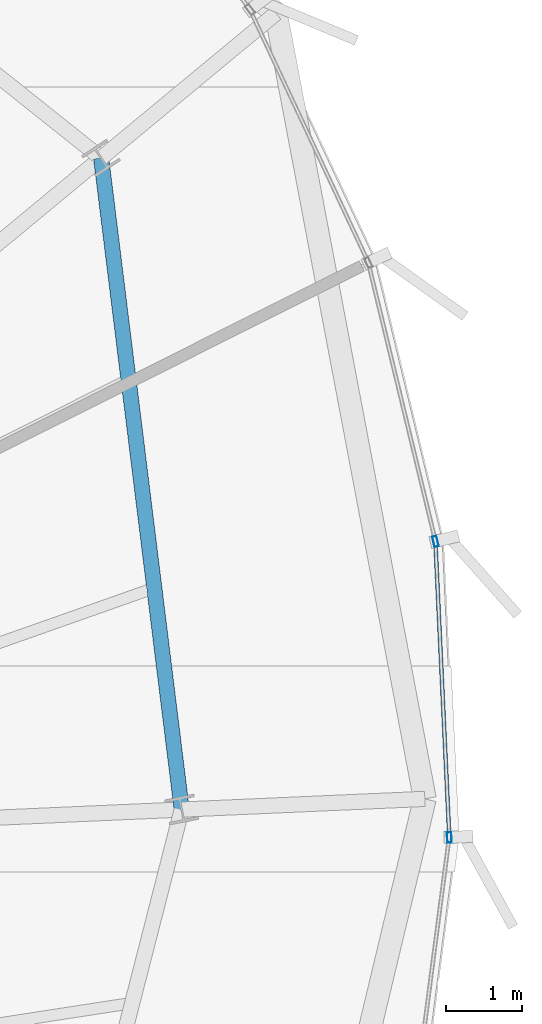
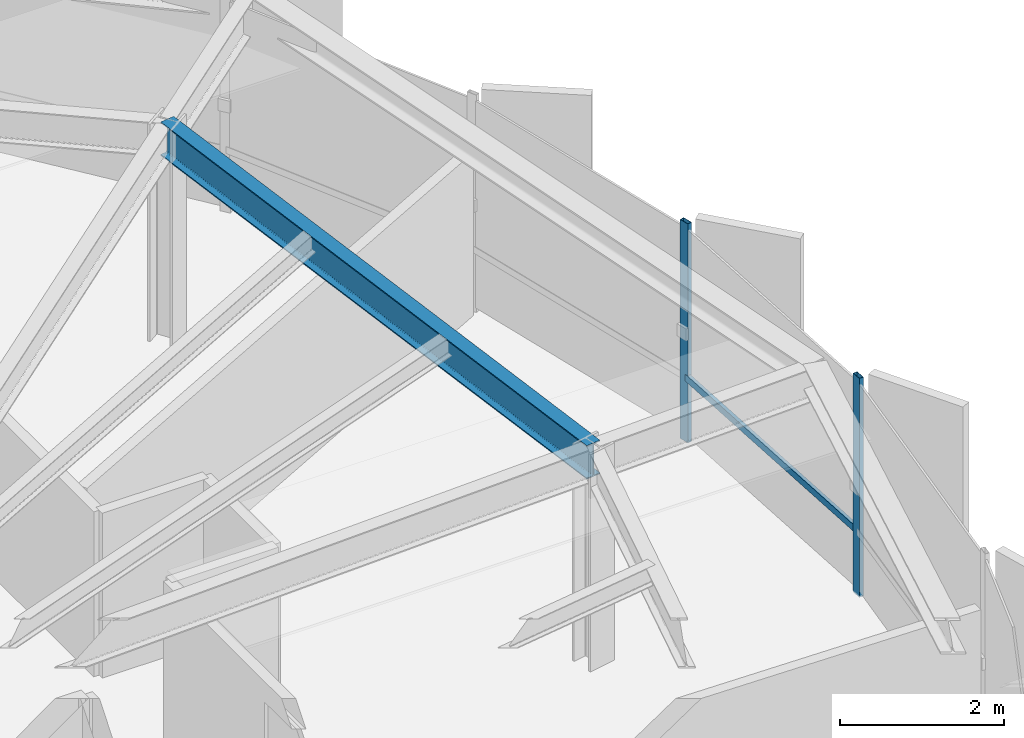
# One storey, part 17 of 34: 3 members, 1 beam, 1 element without a shape of its own.
"""IFC4 building model written with IfcOpenShell, lengths in metres."""

import ifcopenshell
import ifcopenshell.guid

model = None  # the IFC model being written
_history = None  # IfcOwnerHistory: only IFC2X3 demands one
_inside = {}  # id of a spatial element -> (the spatial element, [elements in it])
_under = {}  # id of a project, library or spatial element -> (it, [spatial elements below it])
_declared = {}  # id of a project -> (the project, [libraries it declares])
_typed = {}  # id of a type object -> (the type object, [elements of that type])
_made_of = {}  # id of a material, layer set ... -> (it, [elements and type objects made of it])


def new_model(schema):
    """Start an empty IFC model of exactly this schema.

    Asked for "IFC4X3", IfcOpenShell would pick the latest addendum, in which some entities
    have other attributes; the version numbers below select the first issue.
    IFC2X3 requires an IfcOwnerHistory on every rooted entity: one is made here for all.
    """
    global model, _history
    if schema == "IFC4X3":
        model = ifcopenshell.file(schema_version=(4, 3, 0, 0))
    else:
        model = ifcopenshell.file(schema=schema)
    _inside.clear()
    _under.clear()
    _declared.clear()
    _typed.clear()
    _made_of.clear()
    _history = None
    if model.schema == "IFC2X3":
        org = make("IfcOrganization", Name="unknown")
        user = make(
            "IfcPersonAndOrganization",
            ThePerson=make("IfcPerson", FamilyName="unknown"),
            TheOrganization=org,
        )
        app = make(
            "IfcApplication",
            ApplicationDeveloper=org,
            Version="unknown",
            ApplicationFullName="unknown",
            ApplicationIdentifier="unknown",
        )
        _history = make(
            "IfcOwnerHistory",
            OwningUser=user,
            OwningApplication=app,
            ChangeAction="ADDED",
            CreationDate=0,
        )
    return model


def make(cls, **values):
    """One entity of the class cls with the attributes given. An attribute that is None is left unset."""
    return model.create_entity(
        cls, **{name: value for name, value in values.items() if value is not None}
    )


def rooted(cls, **values):
    """An entity with a GlobalId (a new one), such as an element, a storey or a relation."""
    return make(cls, GlobalId=ifcopenshell.guid.new(), OwnerHistory=_history, **values)


def si_unit(unit_type, name, prefix=None):
    """IfcSIUnit, for example si_unit("LENGTHUNIT", "METRE", prefix="MILLI")."""
    return make("IfcSIUnit", UnitType=unit_type, Prefix=prefix, Name=name)


def assignment(units):
    """IfcUnitAssignment: the units of a project."""
    return None if units is None else make("IfcUnitAssignment", Units=units)


def point(xyz):
    """IfcCartesianPoint."""
    return None if xyz is None else make("IfcCartesianPoint", Coordinates=xyz)


def direction(xyz):
    """IfcDirection."""
    return None if xyz is None else make("IfcDirection", DirectionRatios=xyz)


def frame(location, z_axis=None, x_axis=None):
    """IfcAxis2Placement3D, a coordinate frame: its origin and axes. An axis left out is left unset."""
    return make(
        "IfcAxis2Placement3D",
        Location=point(location),
        Axis=direction(z_axis),
        RefDirection=direction(x_axis),
    )


def frame_2d(location, x_axis=None):
    """IfcAxis2Placement2D, a coordinate frame in the plane: its origin and x axis."""
    return make(
        "IfcAxis2Placement2D", Location=point(location), RefDirection=direction(x_axis)
    )


def origin():
    """The frame at (0, 0, 0) with its axes left unset."""
    return frame((0.0, 0.0, 0.0))


def origin_2d():
    """The frame at (0, 0) in the plane with its x axis left unset."""
    return frame_2d((0.0, 0.0))


def place(relative_to, where):
    """IfcLocalPlacement: puts the frame where relative to a parent placement (None: the world)."""
    return make(
        "IfcLocalPlacement", PlacementRelTo=relative_to, RelativePlacement=where
    )


def context(
    kind, dimensions, precision=None, world=None, true_north=None, identifier=None
):
    """IfcGeometricRepresentationContext, for example the 3D "Model" context."""
    return make(
        "IfcGeometricRepresentationContext",
        ContextIdentifier=identifier,
        ContextType=kind,
        CoordinateSpaceDimension=dimensions,
        Precision=precision,
        WorldCoordinateSystem=world,
        TrueNorth=true_north,
    )


def subcontext(parent, identifier, kind, view, scale=None):
    """IfcGeometricRepresentationSubContext, for example "Body" below "Model"."""
    return make(
        "IfcGeometricRepresentationSubContext",
        ContextIdentifier=identifier,
        ContextType=kind,
        ParentContext=parent,
        TargetScale=scale,
        TargetView=view,
    )


def project(units=None, contexts=None):
    """IfcProject with its units and contexts."""
    return rooted(
        "IfcProject",
        Name="project",
        RepresentationContexts=contexts,
        UnitsInContext=assignment(units),
    )


def spatial(cls, under=None, at=None, **own):
    """A site, building, storey or space (cls), placed at a placement, below another one or the project."""
    s = rooted(cls, ObjectPlacement=at, **own)
    if under is not None:
        _under.setdefault(under.id(), (under, []))[1].append(s)
    return s


def profile(cls, at=None, kind="AREA", **sizes):
    """A parametric profile (cls). Its sizes go by their IFC names, for example OverallWidth=200.0."""
    return make(cls, ProfileType=kind, Position=at, **sizes)


def hollow_rectangle(**sizes):
    """IfcRectangleHollowProfileDef."""
    return profile("IfcRectangleHollowProfileDef", **sizes)


def i_section(**sizes):
    """IfcIShapeProfileDef."""
    return profile("IfcIShapeProfileDef", **sizes)


def extrude(swept, where, along, depth):
    """IfcExtrudedAreaSolid: the profile swept, set in the frame where, extruded along a direction by depth."""
    return make(
        "IfcExtrudedAreaSolid",
        SweptArea=swept,
        Position=where,
        ExtrudedDirection=direction(along),
        Depth=depth,
    )


def shape(context_of_items, identifier, shape_type, items):
    """IfcShapeRepresentation: the items that make up one representation, for example the "Body"."""
    return make(
        "IfcShapeRepresentation",
        ContextOfItems=context_of_items,
        RepresentationIdentifier=identifier,
        RepresentationType=shape_type,
        Items=items,
    )


def source(mapping_origin, context_of_items, identifier, shape_type, items):
    """IfcRepresentationMap: a shape defined once, which mapped items show again and again."""
    return make(
        "IfcRepresentationMap",
        MappingOrigin=mapping_origin,
        MappedRepresentation=shape(context_of_items, identifier, shape_type, items),
    )


def transform(
    local_origin,
    x_axis=None,
    y_axis=None,
    z_axis=None,
    scale=None,
    scale2=None,
    scale3=None,
    uniform=True,
):
    """IfcCartesianTransformationOperator3D, or its non-uniform kind. x_axis, y_axis, z_axis: its Axis1, 2, 3."""
    if uniform:
        return make(
            "IfcCartesianTransformationOperator3D",
            Axis1=direction(x_axis),
            Axis2=direction(y_axis),
            LocalOrigin=point(local_origin),
            Scale=scale,
            Axis3=direction(z_axis),
        )
    return make(
        "IfcCartesianTransformationOperator3DnonUniform",
        Axis1=direction(x_axis),
        Axis2=direction(y_axis),
        LocalOrigin=point(local_origin),
        Scale=scale,
        Axis3=direction(z_axis),
        Scale2=scale2,
        Scale3=scale3,
    )


def mapped(mapping_source, mapping_target):
    """IfcMappedItem: shows the shape of a source again, moved by a transform."""
    return make(
        "IfcMappedItem", MappingSource=mapping_source, MappingTarget=mapping_target
    )


def material(Name=None, Category=None):
    """IfcMaterial."""
    return make("IfcMaterial", Name=Name, Category=Category)


def layer(
    of_material, thickness, ventilated=None, Name=None, Category=None, Priority=None
):
    """IfcMaterialLayer: one layer of a wall or slab, of a material (None: an air gap)."""
    return make(
        "IfcMaterialLayer",
        Material=of_material,
        LayerThickness=thickness,
        IsVentilated=ventilated,
        Name=Name,
        Category=Category,
        Priority=Priority,
    )


def layer_set(layers, Name=None):
    """IfcMaterialLayerSet."""
    return make("IfcMaterialLayerSet", MaterialLayers=layers, LayerSetName=Name)


def material_profile(
    of_material, cross_section, Name=None, Category=None, Priority=None
):
    """IfcMaterialProfile: a cross section and its material."""
    return make(
        "IfcMaterialProfile",
        Name=Name,
        Material=of_material,
        Profile=cross_section,
        Priority=Priority,
        Category=Category,
    )


def profile_set(profiles, Name=None, composite=None):
    """IfcMaterialProfileSet."""
    return make(
        "IfcMaterialProfileSet",
        Name=Name,
        MaterialProfiles=profiles,
        CompositeProfile=composite,
    )


def made_of(thing, what):
    """Note that an element or type object is made of a material, layer set ...; save() writes the relation."""
    if what is not None:
        _made_of.setdefault(what.id(), (what, []))[1].append(thing)
    return thing


def type_object(cls, material=None, **own):
    """A type object (cls), such as IfcWallType, which elements share."""
    return made_of(rooted(cls, **own), material)


def element(
    cls,
    number,
    at=None,
    inside=None,
    cuts=None,
    type_object=None,
    material=None,
    context=None,
    identifier="Body",
    shape_type=None,
    held_by="IfcProductDefinitionShape",
    body=None,
    shapes=None,
    **own,
):
    """One element of the class cls, such as IfcWall. Its Tag is "e" and its number.

    at: its placement. inside: the storey or other place that contains it. cuts: it is an
    opening in that element (IfcRelVoidsElement). A single representation is given by context,
    identifier, shape_type and body (its items); several are given by shapes. held_by: the class
    of the entity that holds the representations. save() writes the other relations.
    """
    e = rooted(cls, Tag="e%d" % number, ObjectPlacement=at, **own)
    if body is not None:
        shapes = [shape(context, identifier, shape_type, body)]
    if shapes is not None:
        e.Representation = make(held_by, Representations=shapes)
    if inside is not None:
        _inside.setdefault(inside.id(), (inside, []))[1].append(e)
    if cuts is not None:
        rooted(
            "IfcRelVoidsElement", RelatingBuildingElement=cuts, RelatedOpeningElement=e
        )
    if type_object is not None:
        _typed.setdefault(type_object.id(), (type_object, []))[1].append(e)
    return made_of(e, material)


def aggregate(whole, parts):
    """IfcRelAggregates: a whole, such as a stair, and the parts it consists of."""
    return rooted("IfcRelAggregates", RelatingObject=whole, RelatedObjects=parts)


def save(model, path):
    """Write the relations noted so far, then the file.

    IfcRelAggregates (storeys below a building ...), IfcRelContainedInSpatialStructure (elements
    in a storey), IfcRelDefinesByType, IfcRelAssociatesMaterial and IfcRelDeclares: one each for
    every whole, place, type object, material and project.
    """
    for whole, parts in _under.values():
        aggregate(whole, parts)
    for where, things in _inside.values():
        rooted(
            "IfcRelContainedInSpatialStructure",
            RelatedElements=things,
            RelatingStructure=where,
        )
    for kind, things in _typed.values():
        rooted("IfcRelDefinesByType", RelatedObjects=things, RelatingType=kind)
    for what, things in _made_of.values():
        rooted("IfcRelAssociatesMaterial", RelatedObjects=things, RelatingMaterial=what)
    for by, libraries in _declared.values():
        rooted("IfcRelDeclares", RelatingContext=by, RelatedDefinitions=libraries)
    model.write(path)


model = new_model("IFC4")

# Units and contexts
model_context = context("Model", 3, precision=1e-05, world=origin(), true_north=direction((0.0, 1.0)))
body_context = subcontext(model_context, "Body", "Model", "MODEL_VIEW")
ifc_project = project(units=[si_unit("LENGTHUNIT", "METRE"), si_unit("AREAUNIT", "SQUARE_METRE"), si_unit("VOLUMEUNIT", "CUBIC_METRE"), si_unit("PLANEANGLEUNIT", "RADIAN"), si_unit("MASSUNIT", "GRAM", prefix="KILO"), si_unit("THERMODYNAMICTEMPERATUREUNIT", "KELVIN")], contexts=[model_context])

# Site, building, storey
site_placement = place(None, origin())
site = spatial("IfcSite", under=ifc_project, at=site_placement, CompositionType="ELEMENT")
building_placement = place(site_placement, origin())
building = spatial("IfcBuilding", under=site, at=building_placement, Name="Kethvar Cultural Tower", CompositionType="ELEMENT")
storey_placement = place(building_placement, frame((0.0, 0.0, 207.89990234375)))
storey = spatial("IfcBuildingStorey", under=building, at=storey_placement, Name="L54", CompositionType="ELEMENT", Elevation=207.89990234375)

# Beam
ifc_material_1 = material(Name="Steel S355J2", Category="steel")
ifc_material_profile_1 = material_profile(ifc_material_1, i_section(OverallWidth=0.199951171875, OverallDepth=0.5, WebThickness=0.01025390625, FlangeThickness=0.01611328125, FilletRadius=0.02099609375, at=origin_2d()), Name="Steel S355J2 — IPE500")
ifc_profile_set_1 = profile_set([ifc_material_profile_1], Name="Steel S355J2 — IPE500")
beam_type = type_object("IfcBeamType", Name="BM-IPE500", PredefinedType="BEAM", material=ifc_profile_set_1)
shared_shape_1 = source(origin(), body_context, "Body", "SweptSolid", [
    extrude(i_section(OverallWidth=0.199951171875, OverallDepth=0.5, WebThickness=0.01025390625, FlangeThickness=0.01611328125, FilletRadius=0.02099609375, at=origin_2d()), origin(), (0.0, 0.0, 1.0), 8.6318359375),
])
beam_placement = place(storey_placement, frame((66.56396484375, 31.731201171875, 3.008056640625), z_axis=(-0.122781430908, 0.992433735936, 0.0), x_axis=(-0.992433735936, -0.122781430908, 0.0)))
element("IfcBeam", 1, at=beam_placement, inside=storey, type_object=beam_type, Name="L54 Column Ring Tie Beam CR-01", PredefinedType="BEAM", context=body_context, shape_type="MappedRepresentation", body=[
    mapped(shared_shape_1, transform((0.0, 0.0, 0.0), scale=1.0)),
])

# Curtain wall, members
ifc_material_2 = material(Name="Aluminium 6063-T6", Category="aluminium")
ifc_layer = layer(ifc_material_2, 0.179931640625, Name="Aluminium 6063-T6", Category="aluminium")
ifc_layer_set = layer_set([ifc_layer], Name="Aluminium 6063-T6 (180 mm)")
curtain_wall_type = type_object("IfcCurtainWallType", Name="CW-SYS-04-Z34", PredefinedType="NOTDEFINED", material=ifc_layer_set)
curtain_wall_placement = place(storey_placement, origin())
curtain_wall = element("IfcCurtainWall", 2, at=curtain_wall_placement, inside=storey, type_object=curtain_wall_type, Name="L54 Curtain Wall Run 06", PredefinedType="NOTDEFINED")
ifc_material_profile_2 = material_profile(ifc_material_2, hollow_rectangle(XDim=0.06005859375, YDim=0.139892578125, WallThickness=0.0048828125, at=origin_2d()), Name="Aluminium 6063-T6 — RHS140x60x5")
ifc_profile_set_2 = profile_set([ifc_material_profile_2], Name="Aluminium 6063-T6 — RHS140x60x5")
member_type_1 = type_object("IfcMemberType", Name="CW-SYS-04-Z34-MUL", PredefinedType="MULLION", material=ifc_profile_set_2)
shared_shape_2 = source(origin(), body_context, "Body", "SweptSolid", [
    extrude(hollow_rectangle(XDim=0.06005859375, YDim=0.139892578125, WallThickness=0.0048828125, at=origin_2d()), origin(), (0.0, 0.0, 1.0), 3.260009765625),
])
member_1_placement = place(storey_placement, frame((70.08251953125, 31.36474609375, 0.0), z_axis=(0.0, 0.0, 1.0), x_axis=(-0.998891518679, -0.047071582847, 0.0)))
member_1 = element("IfcMember", 3, at=member_1_placement, type_object=member_type_1, Name="CW-L54-R06 Mullion 3", PredefinedType="MULLION", context=body_context, shape_type="MappedRepresentation", body=[
    mapped(shared_shape_2, transform((0.0, 0.0, 0.0), scale=1.0)),
])
member_2_placement = place(storey_placement, frame((69.901123046875, 35.2578125, 0.0), z_axis=(0.0, 0.0, 1.0), x_axis=(-0.972096271492, -0.234582264783, 0.0)))
member_2 = element("IfcMember", 4, at=member_2_placement, type_object=member_type_1, Name="CW-L54-R06 Mullion 4", PredefinedType="MULLION", context=body_context, shape_type="MappedRepresentation", body=[
    mapped(shared_shape_2, transform((0.0, 0.0, 0.0), scale=1.0)),
])
ifc_material_profile_3 = material_profile(ifc_material_2, hollow_rectangle(XDim=0.050048828125, YDim=0.10009765625, WallThickness=0.00390625, at=origin_2d()), Name="Aluminium 6063-T6 — RHS100x50x4")
ifc_profile_set_3 = profile_set([ifc_material_profile_3], Name="Aluminium 6063-T6 — RHS100x50x4")
member_type_2 = type_object("IfcMemberType", Name="CW-SYS-04-Z34-TRN", PredefinedType="USERDEFINED", material=ifc_profile_set_3)
shared_shape_3 = source(origin(), body_context, "Body", "SweptSolid", [
    extrude(hollow_rectangle(XDim=0.050048828125, YDim=0.10009765625, WallThickness=0.00390625, at=origin_2d()), origin(), (0.0, 0.0, 1.0), 3.831298828125),
])
member_3_placement = place(storey_placement, frame((70.08056640625, 31.407958984375, 0.9501953125), z_axis=(-0.047026251374, 0.99889365384, 0.0), x_axis=(-0.99889365384, -0.047026251374, 0.0)))
member_3 = element("IfcMember", 5, at=member_3_placement, type_object=member_type_2, Name="CW-L54-R06 Transom 3", ObjectType="TRANSOM", PredefinedType="USERDEFINED", context=body_context, shape_type="MappedRepresentation", body=[
    mapped(shared_shape_3, transform((0.0, 0.0, 0.0), scale=1.0)),
])
aggregate(curtain_wall, [member_1, member_2, member_3])

save(model, "model.ifc")
